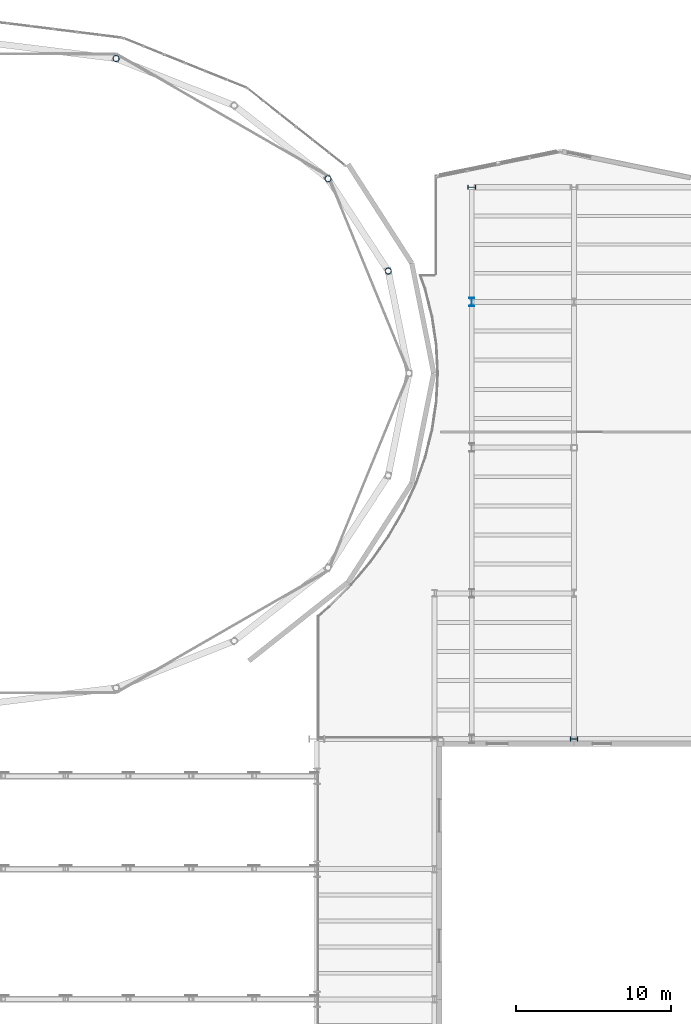
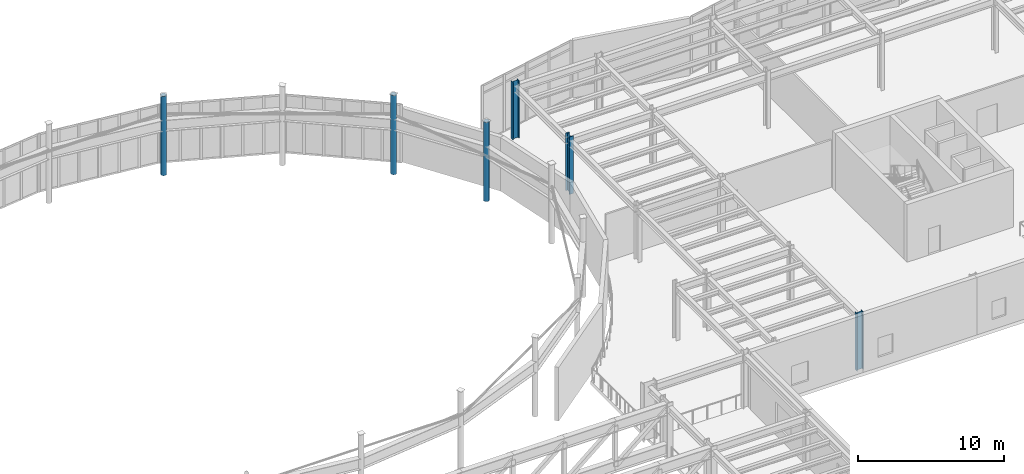
# One storey, part 10 of 91: 6 columns.
"""IFC4 building model written with IfcOpenShell, lengths in metres."""

import ifcopenshell
import ifcopenshell.guid

model = None  # the IFC model being written
_history = None  # IfcOwnerHistory: only IFC2X3 demands one
_inside = {}  # id of a spatial element -> (the spatial element, [elements in it])
_under = {}  # id of a project, library or spatial element -> (it, [spatial elements below it])
_declared = {}  # id of a project -> (the project, [libraries it declares])
_typed = {}  # id of a type object -> (the type object, [elements of that type])
_made_of = {}  # id of a material, layer set ... -> (it, [elements and type objects made of it])


def new_model(schema):
    """Start an empty IFC model of exactly this schema.

    Asked for "IFC4X3", IfcOpenShell would pick the latest addendum, in which some entities
    have other attributes; the version numbers below select the first issue.
    IFC2X3 requires an IfcOwnerHistory on every rooted entity: one is made here for all.
    """
    global model, _history
    if schema == "IFC4X3":
        model = ifcopenshell.file(schema_version=(4, 3, 0, 0))
    else:
        model = ifcopenshell.file(schema=schema)
    _inside.clear()
    _under.clear()
    _declared.clear()
    _typed.clear()
    _made_of.clear()
    _history = None
    if model.schema == "IFC2X3":
        org = make("IfcOrganization", Name="unknown")
        user = make(
            "IfcPersonAndOrganization",
            ThePerson=make("IfcPerson", FamilyName="unknown"),
            TheOrganization=org,
        )
        app = make(
            "IfcApplication",
            ApplicationDeveloper=org,
            Version="unknown",
            ApplicationFullName="unknown",
            ApplicationIdentifier="unknown",
        )
        _history = make(
            "IfcOwnerHistory",
            OwningUser=user,
            OwningApplication=app,
            ChangeAction="ADDED",
            CreationDate=0,
        )
    return model


def make(cls, **values):
    """One entity of the class cls with the attributes given. An attribute that is None is left unset."""
    return model.create_entity(
        cls, **{name: value for name, value in values.items() if value is not None}
    )


def rooted(cls, **values):
    """An entity with a GlobalId (a new one), such as an element, a storey or a relation."""
    return make(cls, GlobalId=ifcopenshell.guid.new(), OwnerHistory=_history, **values)


def si_unit(unit_type, name, prefix=None):
    """IfcSIUnit, for example si_unit("LENGTHUNIT", "METRE", prefix="MILLI")."""
    return make("IfcSIUnit", UnitType=unit_type, Prefix=prefix, Name=name)


def assignment(units):
    """IfcUnitAssignment: the units of a project."""
    return None if units is None else make("IfcUnitAssignment", Units=units)


def point(xyz):
    """IfcCartesianPoint."""
    return None if xyz is None else make("IfcCartesianPoint", Coordinates=xyz)


def direction(xyz):
    """IfcDirection."""
    return None if xyz is None else make("IfcDirection", DirectionRatios=xyz)


def frame(location, z_axis=None, x_axis=None):
    """IfcAxis2Placement3D, a coordinate frame: its origin and axes. An axis left out is left unset."""
    return make(
        "IfcAxis2Placement3D",
        Location=point(location),
        Axis=direction(z_axis),
        RefDirection=direction(x_axis),
    )


def frame_2d(location, x_axis=None):
    """IfcAxis2Placement2D, a coordinate frame in the plane: its origin and x axis."""
    return make(
        "IfcAxis2Placement2D", Location=point(location), RefDirection=direction(x_axis)
    )


def origin():
    """The frame at (0, 0, 0) with its axes left unset."""
    return frame((0.0, 0.0, 0.0))


def origin_2d():
    """The frame at (0, 0) in the plane with its x axis left unset."""
    return frame_2d((0.0, 0.0))


def place(relative_to, where):
    """IfcLocalPlacement: puts the frame where relative to a parent placement (None: the world)."""
    return make(
        "IfcLocalPlacement", PlacementRelTo=relative_to, RelativePlacement=where
    )


def context(
    kind, dimensions, precision=None, world=None, true_north=None, identifier=None
):
    """IfcGeometricRepresentationContext, for example the 3D "Model" context."""
    return make(
        "IfcGeometricRepresentationContext",
        ContextIdentifier=identifier,
        ContextType=kind,
        CoordinateSpaceDimension=dimensions,
        Precision=precision,
        WorldCoordinateSystem=world,
        TrueNorth=true_north,
    )


def subcontext(parent, identifier, kind, view, scale=None):
    """IfcGeometricRepresentationSubContext, for example "Body" below "Model"."""
    return make(
        "IfcGeometricRepresentationSubContext",
        ContextIdentifier=identifier,
        ContextType=kind,
        ParentContext=parent,
        TargetScale=scale,
        TargetView=view,
    )


def project(units=None, contexts=None):
    """IfcProject with its units and contexts."""
    return rooted(
        "IfcProject",
        Name="project",
        RepresentationContexts=contexts,
        UnitsInContext=assignment(units),
    )


def spatial(cls, under=None, at=None, **own):
    """A site, building, storey or space (cls), placed at a placement, below another one or the project."""
    s = rooted(cls, ObjectPlacement=at, **own)
    if under is not None:
        _under.setdefault(under.id(), (under, []))[1].append(s)
    return s


def profile(cls, at=None, kind="AREA", **sizes):
    """A parametric profile (cls). Its sizes go by their IFC names, for example OverallWidth=200.0."""
    return make(cls, ProfileType=kind, Position=at, **sizes)


def hollow_circle(**sizes):
    """IfcCircleHollowProfileDef."""
    return profile("IfcCircleHollowProfileDef", **sizes)


def i_section(**sizes):
    """IfcIShapeProfileDef."""
    return profile("IfcIShapeProfileDef", **sizes)


def extrude(swept, where, along, depth):
    """IfcExtrudedAreaSolid: the profile swept, set in the frame where, extruded along a direction by depth."""
    return make(
        "IfcExtrudedAreaSolid",
        SweptArea=swept,
        Position=where,
        ExtrudedDirection=direction(along),
        Depth=depth,
    )


def shape(context_of_items, identifier, shape_type, items):
    """IfcShapeRepresentation: the items that make up one representation, for example the "Body"."""
    return make(
        "IfcShapeRepresentation",
        ContextOfItems=context_of_items,
        RepresentationIdentifier=identifier,
        RepresentationType=shape_type,
        Items=items,
    )


def material(Name=None, Category=None):
    """IfcMaterial."""
    return make("IfcMaterial", Name=Name, Category=Category)


def material_profile(
    of_material, cross_section, Name=None, Category=None, Priority=None
):
    """IfcMaterialProfile: a cross section and its material."""
    return make(
        "IfcMaterialProfile",
        Name=Name,
        Material=of_material,
        Profile=cross_section,
        Priority=Priority,
        Category=Category,
    )


def profile_set(profiles, Name=None, composite=None):
    """IfcMaterialProfileSet."""
    return make(
        "IfcMaterialProfileSet",
        Name=Name,
        MaterialProfiles=profiles,
        CompositeProfile=composite,
    )


def made_of(thing, what):
    """Note that an element or type object is made of a material, layer set ...; save() writes the relation."""
    if what is not None:
        _made_of.setdefault(what.id(), (what, []))[1].append(thing)
    return thing


def type_object(cls, material=None, **own):
    """A type object (cls), such as IfcWallType, which elements share."""
    return made_of(rooted(cls, **own), material)


def element(
    cls,
    number,
    at=None,
    inside=None,
    cuts=None,
    type_object=None,
    material=None,
    context=None,
    identifier="Body",
    shape_type=None,
    held_by="IfcProductDefinitionShape",
    body=None,
    shapes=None,
    **own,
):
    """One element of the class cls, such as IfcWall. Its Tag is "e" and its number.

    at: its placement. inside: the storey or other place that contains it. cuts: it is an
    opening in that element (IfcRelVoidsElement). A single representation is given by context,
    identifier, shape_type and body (its items); several are given by shapes. held_by: the class
    of the entity that holds the representations. save() writes the other relations.
    """
    e = rooted(cls, Tag="e%d" % number, ObjectPlacement=at, **own)
    if body is not None:
        shapes = [shape(context, identifier, shape_type, body)]
    if shapes is not None:
        e.Representation = make(held_by, Representations=shapes)
    if inside is not None:
        _inside.setdefault(inside.id(), (inside, []))[1].append(e)
    if cuts is not None:
        rooted(
            "IfcRelVoidsElement", RelatingBuildingElement=cuts, RelatedOpeningElement=e
        )
    if type_object is not None:
        _typed.setdefault(type_object.id(), (type_object, []))[1].append(e)
    return made_of(e, material)


def aggregate(whole, parts):
    """IfcRelAggregates: a whole, such as a stair, and the parts it consists of."""
    return rooted("IfcRelAggregates", RelatingObject=whole, RelatedObjects=parts)


def save(model, path):
    """Write the relations noted so far, then the file.

    IfcRelAggregates (storeys below a building ...), IfcRelContainedInSpatialStructure (elements
    in a storey), IfcRelDefinesByType, IfcRelAssociatesMaterial and IfcRelDeclares: one each for
    every whole, place, type object, material and project.
    """
    for whole, parts in _under.values():
        aggregate(whole, parts)
    for where, things in _inside.values():
        rooted(
            "IfcRelContainedInSpatialStructure",
            RelatedElements=things,
            RelatingStructure=where,
        )
    for kind, things in _typed.values():
        rooted("IfcRelDefinesByType", RelatedObjects=things, RelatingType=kind)
    for what, things in _made_of.values():
        rooted("IfcRelAssociatesMaterial", RelatedObjects=things, RelatingMaterial=what)
    for by, libraries in _declared.values():
        rooted("IfcRelDeclares", RelatingContext=by, RelatedDefinitions=libraries)
    model.write(path)


model = new_model("IFC4")

# Units and contexts
model_context = context("Model", 3, precision=1e-05, world=origin(), true_north=direction((0.0, 1.0)))
body_context = subcontext(model_context, "Body", "Model", "MODEL_VIEW")
ifc_project = project(units=[si_unit("LENGTHUNIT", "METRE"), si_unit("AREAUNIT", "SQUARE_METRE"), si_unit("VOLUMEUNIT", "CUBIC_METRE"), si_unit("PLANEANGLEUNIT", "RADIAN"), si_unit("MASSUNIT", "GRAM", prefix="KILO")], contexts=[model_context])

# Site, building, storey
site_placement = place(None, origin())
site = spatial("IfcSite", under=ifc_project, at=site_placement, CompositionType="ELEMENT")
building_placement = place(site_placement, origin())
building = spatial("IfcBuilding", under=site, at=building_placement, Name="Sollismere Congress Hotel", CompositionType="ELEMENT")
storey_placement = place(building_placement, frame((0.0, 0.0, 10.800048828125)))
storey = spatial("IfcBuildingStorey", under=building, at=storey_placement, Name="L02", CompositionType="ELEMENT", Elevation=10.800048828125)

# Columns
ifc_material_1 = material(Name="Steel ASTM A500 Grade C", Category="steel")
ifc_material_profile_1 = material_profile(ifc_material_1, hollow_circle(Radius=0.202880859375, WallThickness=0.01611328125, at=origin_2d()), Name="CHS406X16")
ifc_profile_set_1 = profile_set([ifc_material_profile_1], Name="Steel ASTM A500 Grade C")
column_type_1 = type_object("IfcColumnType", Name="COL-CHS406I", PredefinedType="COLUMN", material=ifc_profile_set_1)
for number, where, z_axis, x_axis, name in (
    (1, (55.011474609375, 96.99755859375, 0.0), (0.0, 0.0, 1.0), (0.969316774365, 0.245814952628, 0.0), "Column CL-L02-1154"),
    (2, (51.126708984375, 102.94921875, 0.0), (0.0, 0.0, 1.0), (0.869839554062, 0.493334724289, 0.0), "Column CL-L02-1158"),
    (3, (37.45166015625, 110.705078125, 0.0), (0.0, 0.0, 1.0), (0.38429532266, 0.923210217113, 0.0), "Column CL-L02-1166"),
):
    element("IfcColumn", number, at=place(storey_placement, frame(where, z_axis=z_axis, x_axis=x_axis)), inside=storey, type_object=column_type_1, Name=name, PredefinedType="COLUMN", context=body_context, shape_type="SweptSolid", body=[
        extrude(hollow_circle(Radius=0.202880859375, WallThickness=0.01611328125, at=origin_2d()), origin(), (0.0, 0.0, 1.0), 6.619873046875),
    ])
ifc_material_2 = material(Name="Steel ASTM A992 Grade 50", Category="steel")
ifc_material_profile_2 = material_profile(ifc_material_2, i_section(OverallWidth=0.283935546875, OverallDepth=0.4951171875, WebThickness=0.0185546875, FlangeThickness=0.033447265625, at=origin_2d()), Name="W18X143")
ifc_profile_set_2 = profile_set([ifc_material_profile_2], Name="Steel ASTM A992 Grade 50")
column_type_2 = type_object("IfcColumnType", Name="COL-W18", PredefinedType="COLUMN", material=ifc_profile_set_2)
for number, where, z_axis, x_axis, name in (
    (4, (67.0, 66.800048828125, 0.0), (0.0, 0.0, 1.0), (0.0, 1.0, 0.0), "Column CL-L02-317"),
    (5, (60.39990234375, 102.39990234375, 0.0), (0.0, 0.0, 1.0), (0.0, 1.0, 0.0), "Column CL-L02-1084"),
):
    element("IfcColumn", number, at=place(storey_placement, frame(where, z_axis=z_axis, x_axis=x_axis)), inside=storey, type_object=column_type_2, Name=name, PredefinedType="COLUMN", context=body_context, shape_type="SweptSolid", body=[
        extrude(i_section(OverallWidth=0.283935546875, OverallDepth=0.4951171875, WebThickness=0.0185546875, FlangeThickness=0.033447265625, at=origin_2d()), origin(), (0.0, 0.0, 1.0), 4.800048828125),
    ])
ifc_material_profile_3 = material_profile(ifc_material_2, i_section(OverallWidth=0.31494140625, OverallDepth=0.551025390625, WebThickness=0.01513671875, FlangeThickness=0.0244140625, at=origin_2d()), Name="W21X122")
ifc_profile_set_3 = profile_set([ifc_material_profile_3], Name="Steel ASTM A992 Grade 50")
column_type_3 = type_object("IfcColumnType", Name="COL-W21", PredefinedType="COLUMN", material=ifc_profile_set_3)
column_placement = place(storey_placement, frame((60.39990234375, 95.0, 0.0), z_axis=(0.0, 0.0, 1.0), x_axis=(1.0, 0.0, 0.0)))
element("IfcColumn", 6, at=column_placement, inside=storey, type_object=column_type_3, Name="Column CL-L02-1078", PredefinedType="COLUMN", context=body_context, shape_type="SweptSolid", body=[
    extrude(i_section(OverallWidth=0.31494140625, OverallDepth=0.551025390625, WebThickness=0.01513671875, FlangeThickness=0.0244140625, at=origin_2d()), origin(), (0.0, 0.0, 1.0), 4.800048828125),
])

save(model, "model.ifc")
